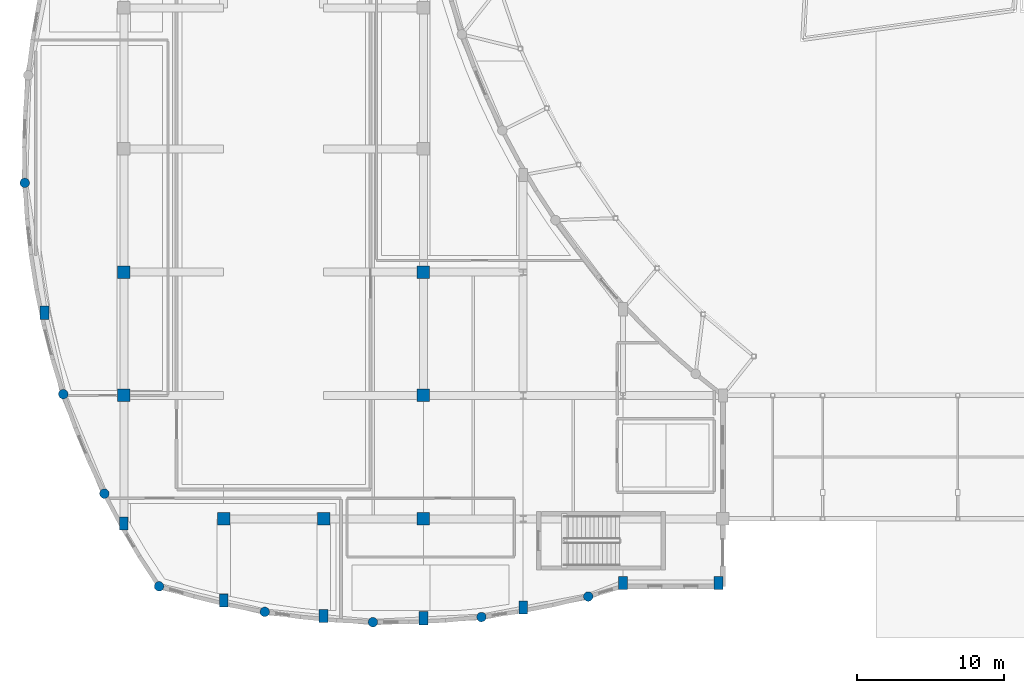
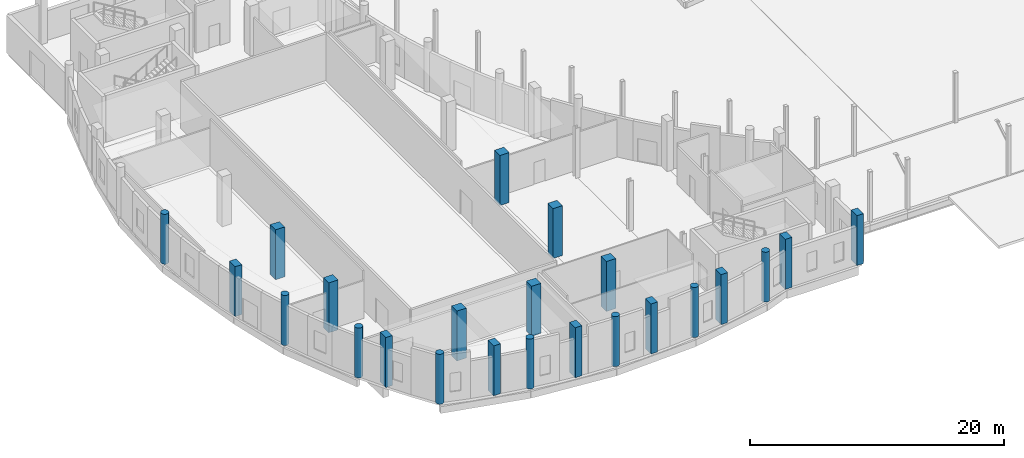
# One storey, part 1 of 97: 23 columns.
"""IFC4 building model written with IfcOpenShell, lengths in metres."""

from ifc_helpers import new_model, si_unit, direction, frame, origin, origin_2d, place, context, subcontext, project, spatial, rectangle, circle, extrude, material, material_profile, profile_set, type_object, element, save


model = new_model("IFC4")

# Units and contexts
model_context = context("Model", 3, precision=1e-05, world=origin(), true_north=direction((0.0, 1.0)))
body_context = subcontext(model_context, "Body", "Model", "MODEL_VIEW")
ifc_project = project(units=[si_unit("LENGTHUNIT", "METRE"), si_unit("AREAUNIT", "SQUARE_METRE"), si_unit("VOLUMEUNIT", "CUBIC_METRE"), si_unit("PLANEANGLEUNIT", "RADIAN"), si_unit("MASSUNIT", "GRAM", prefix="KILO")], contexts=[model_context])

# Site, building, storey
site_placement = place(None, origin())
site = spatial("IfcSite", under=ifc_project, at=site_placement, CompositionType="ELEMENT")
building_placement = place(site_placement, origin())
building = spatial("IfcBuilding", under=site, at=building_placement, Name="Kisaragi Civic Commons", CompositionType="ELEMENT")
storey_placement = place(building_placement, origin())
storey = spatial("IfcBuildingStorey", under=building, at=storey_placement, Name="L00", CompositionType="ELEMENT", Elevation=0.0)

# Columns
ifc_material_1 = material(Name="Concrete Fc36", Category="concrete")
ifc_material_profile_1 = material_profile(ifc_material_1, rectangle(XDim=0.85009765625, YDim=0.85009765625, at=origin_2d()), Name="RC-850x850", Category="concrete")
ifc_profile_set_1 = profile_set([ifc_material_profile_1], Name="Concrete Fc36")
column_type_1 = type_object("IfcColumnType", Name="C-01", PredefinedType="COLUMN", material=ifc_profile_set_1)
for number, where, z_axis, x_axis, name in (
    (1, (6.800048828125, 16.800048828125, 0.0), (0.0, 0.0, 1.0), (1.0, 0.0, 0.0), "L00 column C-01 (6.8,16.8)"),
    (2, (6.800048828125, 25.199951171875, 0.0), (0.0, 0.0, 1.0), (1.0, 0.0, 0.0), "L00 column C-01 (6.8,25.2)"),
    (3, (13.60009765625, 8.39990234375, 0.0), (0.0, 0.0, 1.0), (1.0, 0.0, 0.0), "L00 column C-01 (13.6,8.4)"),
    (4, (20.39990234375, 8.39990234375, 0.0), (0.0, 0.0, 1.0), (1.0, 0.0, 0.0), "L00 column C-01 (20.4,8.4)"),
    (5, (27.199951171875, 8.39990234375, 0.0), (0.0, 0.0, 1.0), (1.0, 0.0, 0.0), "L00 column C-01 (27.2,8.4)"),
    (6, (27.199951171875, 16.800048828125, 0.0), (0.0, 0.0, 1.0), (1.0, 0.0, 0.0), "L00 column C-01 (27.2,16.8)"),
    (7, (27.199951171875, 25.199951171875, 0.0), (0.0, 0.0, 1.0), (1.0, 0.0, 0.0), "L00 column C-01 (27.2,25.2)"),
):
    element("IfcColumn", number, at=place(storey_placement, frame(where, z_axis=z_axis, x_axis=x_axis)), inside=storey, type_object=column_type_1, Name=name, PredefinedType="COLUMN", context=body_context, shape_type="SweptSolid", body=[
        extrude(rectangle(XDim=0.85009765625, YDim=0.85009765625, at=origin_2d()), origin(), (0.0, 0.0, 1.0), 4.800048828125),
    ])
ifc_material_profile_2 = material_profile(ifc_material_1, rectangle(XDim=0.60009765625, YDim=0.89990234375, at=origin_2d()), Name="RC-600x900", Category="concrete")
ifc_profile_set_2 = profile_set([ifc_material_profile_2], Name="Concrete Fc36")
column_type_2 = type_object("IfcColumnType", Name="C-09", PredefinedType="COLUMN", material=ifc_profile_set_2)
for number, where, z_axis, x_axis, name in (
    (8, (1.39990234375, 22.4384765625, 0.0), (0.0, 0.0, 1.0), (1.0, 0.0, 0.0), "L00 column C-09 (1.4,22.4)"),
    (9, (6.800048828125, 8.076171875, 0.0), (0.0, 0.0, 1.0), (1.0, 0.0, 0.0), "L00 column C-09 (6.8,8.1)"),
    (10, (13.60009765625, 2.8408203125, 0.0), (0.0, 0.0, 1.0), (1.0, 0.0, 0.0), "L00 column C-09 (13.6,2.8)"),
    (11, (20.39990234375, 1.780029296875, 0.0), (0.0, 0.0, 1.0), (1.0, 0.0, 0.0), "L00 column C-09 (20.4,1.8)"),
    (12, (27.199951171875, 1.622314453125, 0.0), (0.0, 0.0, 1.0), (1.0, 0.0, 0.0), "L00 column C-09 (27.2,1.6)"),
    (13, (34.0, 2.3583984375, 0.0), (0.0, 0.0, 1.0), (1.0, 0.0, 0.0), "L00 column C-09 (34.0,2.4)"),
    (14, (40.800048828125, 4.02001953125, 0.0), (0.0, 0.0, 1.0), (1.0, 0.0, 0.0), "L00 column C-09 (40.8,4.0)"),
    (15, (47.300048828125, 4.02001953125, 0.0), (0.0, 0.0, 1.0), (1.0, 0.0, 0.0), "L00 column C-09 (47.3,4.0)"),
):
    element("IfcColumn", number, at=place(storey_placement, frame(where, z_axis=z_axis, x_axis=x_axis)), inside=storey, type_object=column_type_2, Name=name, PredefinedType="COLUMN", context=body_context, shape_type="SweptSolid", body=[
        extrude(rectangle(XDim=0.60009765625, YDim=0.89990234375, at=origin_2d()), origin(), (0.0, 0.0, 1.0), 4.800048828125),
    ])
ifc_material_2 = material(Name="Concrete Fc30", Category="concrete")
ifc_material_profile_3 = material_profile(ifc_material_2, circle(Radius=0.324951171875, at=origin_2d()), Name="RC-D650", Category="concrete")
ifc_profile_set_3 = profile_set([ifc_material_profile_3], Name="Concrete Fc30")
column_type_3 = type_object("IfcColumnType", Name="C-12", PredefinedType="COLUMN", material=ifc_profile_set_3)
for number, where, z_axis, x_axis, name in (
    (16, (0.051513671875, 31.277099609375, 0.0), (0.0, 0.0, 1.0), (1.0, 0.0, 0.0), "L00 column C-12 (0.1,31.3)"),
    (17, (2.67431640625, 16.888916015625, 0.0), (0.0, 0.0, 1.0), (1.0, 0.0, 0.0), "L00 column C-12 (2.7,16.9)"),
    (18, (5.474609375, 10.11376953125, 0.0), (0.0, 0.0, 1.0), (1.0, 0.0, 0.0), "L00 column C-12 (5.5,10.1)"),
    (19, (9.199951171875, 3.800048828125, 0.0), (0.0, 0.0, 1.0), (1.0, 0.0, 0.0), "L00 column C-12 (9.2,3.8)"),
    (20, (16.3955078125, 2.058349609375, 0.0), (0.0, 0.0, 1.0), (1.0, 0.0, 0.0), "L00 column C-12 (16.4,2.1)"),
    (21, (23.76513671875, 1.356201171875, 0.0), (0.0, 0.0, 1.0), (1.0, 0.0, 0.0), "L00 column C-12 (23.8,1.4)"),
    (22, (31.159912109375, 1.707763671875, 0.0), (0.0, 0.0, 1.0), (1.0, 0.0, 0.0), "L00 column C-12 (31.2,1.7)"),
    (23, (38.429931640625, 3.105712890625, 0.0), (0.0, 0.0, 1.0), (1.0, 0.0, 0.0), "L00 column C-12 (38.4,3.1)"),
):
    element("IfcColumn", number, at=place(storey_placement, frame(where, z_axis=z_axis, x_axis=x_axis)), inside=storey, type_object=column_type_3, Name=name, PredefinedType="COLUMN", context=body_context, shape_type="SweptSolid", body=[
        extrude(circle(Radius=0.324951171875, at=origin_2d()), origin(), (0.0, 0.0, 1.0), 4.800048828125),
    ])

save(model, "model.ifc")
